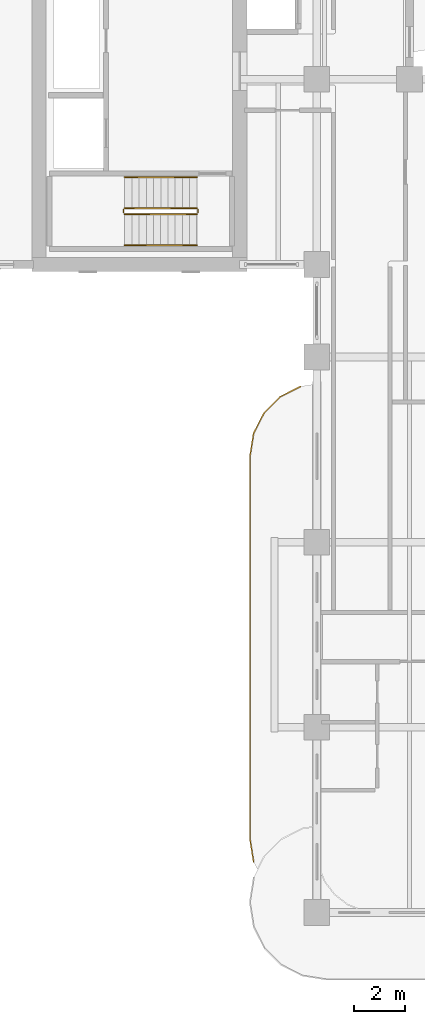
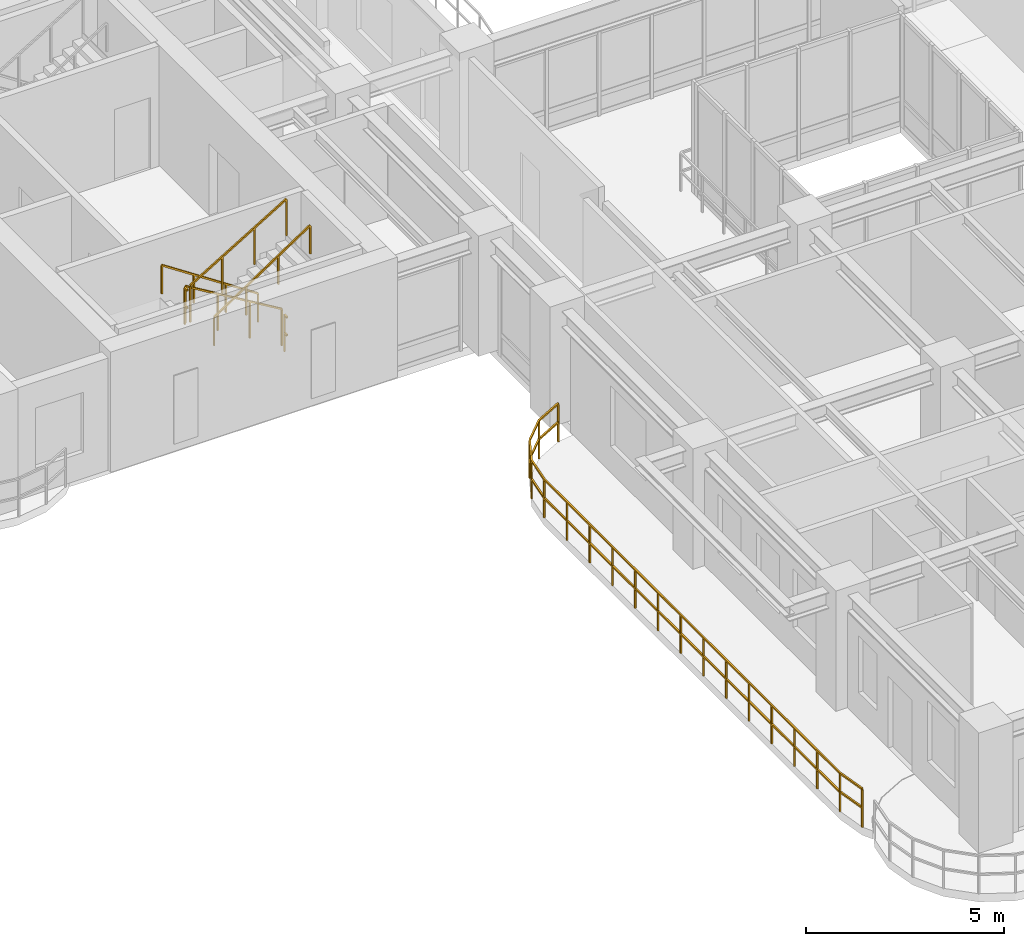
# One storey, part 17 of 20: 7 railings.
"""IFC4 building model written with IfcOpenShell, lengths in metres."""

from ifc_helpers import new_model, si_unit, derived_unit, direction, frame, origin, origin_2d, place, context, subcontext, project, spatial, rectangle, extrude, material, type_object, element, save


model = new_model("IFC4")

# Units and contexts
model_context = context("Model", 3, precision=1e-05, world=origin(), true_north=direction((0.0, 1.0)))
body_context = subcontext(model_context, "Body", "Model", "MODEL_VIEW")
ifc_project = project(units=[si_unit("LENGTHUNIT", "METRE"), si_unit("AREAUNIT", "SQUARE_METRE"), si_unit("VOLUMEUNIT", "CUBIC_METRE"), si_unit("PLANEANGLEUNIT", "RADIAN"), si_unit("MASSUNIT", "GRAM", prefix="KILO"), si_unit("THERMODYNAMICTEMPERATUREUNIT", "KELVIN"), si_unit("POWERUNIT", "WATT"), derived_unit("THERMALTRANSMITTANCEUNIT", [(si_unit("POWERUNIT", "WATT"), 1), (si_unit("AREAUNIT", "SQUARE_METRE"), -1), (si_unit("THERMODYNAMICTEMPERATUREUNIT", "KELVIN"), -1)])], contexts=[model_context])

# Site, building, storey
site_placement = place(None, origin())
site = spatial("IfcSite", under=ifc_project, at=site_placement, CompositionType="ELEMENT")
building_placement = place(site_placement, origin())
building = spatial("IfcBuilding", under=site, at=building_placement, Name="Zahravan Archway Hotel and Residences", CompositionType="ELEMENT")
storey_placement = place(building_placement, frame((0.0, 0.0, 115.5)))
storey = spatial("IfcBuildingStorey", under=building, at=storey_placement, Name="L28", CompositionType="ELEMENT", Elevation=115.5)

# Railings
ifc_material_1 = material(Name="Bronze & Laminated Glass Balustrade", Category="glass")
railing_type_1 = type_object("IfcRailingType", Name="RL-BAL-1200", PredefinedType="BALUSTRADE", material=ifc_material_1)
railing_1_placement = place(storey_placement, frame((11.939453125, 1.96923828125, 0.0)))
element("IfcRailing", 1, at=railing_1_placement, inside=storey, type_object=railing_type_1, Name="L28 Balustrade RL-SLB-BAL-L28-WA-1", PredefinedType="BALUSTRADE", context=body_context, shape_type="SweptSolid", body=[
    extrude(rectangle(XDim=0.048095703125, YDim=0.048095703125, at=origin_2d()), frame((0.0, 0.0, 1.17578125), z_axis=(-0.156314005608, 0.987707411965, 0.0), x_axis=(-0.987707411965, -0.156314005608, 0.0)), (0.0, 0.0, 1.0), 0.891845703125),
    extrude(rectangle(XDim=0.048095703125, YDim=0.048095703125, at=origin_2d()), frame((0.0, 0.0, 0.60009765625), z_axis=(-0.156314005608, 0.987707411965, 0.0), x_axis=(-0.987707411965, -0.156314005608, 0.0)), (0.0, 0.0, 1.0), 0.891845703125),
    extrude(rectangle(XDim=0.048095703125, YDim=0.048095703125, at=origin_2d()), frame((-0.139404296875, 0.880859375, 1.17578125), z_axis=(0.0, 1.0, 0.0), x_axis=(-1.0, 0.0, 0.0)), (0.0, 0.0, 1.0), 14.89990234375),
    extrude(rectangle(XDim=0.048095703125, YDim=0.048095703125, at=origin_2d()), frame((-0.139404296875, 0.880859375, 0.60009765625), z_axis=(0.0, 1.0, 0.0), x_axis=(-1.0, 0.0, 0.0)), (0.0, 0.0, 1.0), 14.89990234375),
    extrude(rectangle(XDim=0.048095703125, YDim=0.048095703125, at=origin_2d()), frame((-0.139404296875, 15.78076171875, 1.17578125), z_axis=(0.156356282588, 0.987700720307, 0.0), x_axis=(-0.987700720307, 0.156356282588, 0.0)), (0.0, 0.0, 1.0), 0.8916015625),
    extrude(rectangle(XDim=0.048095703125, YDim=0.048095703125, at=origin_2d()), frame((-0.139404296875, 15.78076171875, 0.60009765625), z_axis=(0.156356282588, 0.987700720307, 0.0), x_axis=(-0.987700720307, 0.156356282588, 0.0)), (0.0, 0.0, 1.0), 0.8916015625),
    extrude(rectangle(XDim=0.048095703125, YDim=0.048095703125, at=origin_2d()), frame((0.0, 16.661376953125, 1.17578125), z_axis=(0.45388067135, 0.891062476022, 0.0), x_axis=(-0.891062476022, 0.45388067135, 0.0)), (0.0, 0.0, 1.0), 0.891845703125),
    extrude(rectangle(XDim=0.048095703125, YDim=0.048095703125, at=origin_2d()), frame((0.0, 16.661376953125, 0.60009765625), z_axis=(0.45388067135, 0.891062476022, 0.0), x_axis=(-0.891062476022, 0.45388067135, 0.0)), (0.0, 0.0, 1.0), 0.891845703125),
    extrude(rectangle(XDim=0.048095703125, YDim=0.048095703125, at=origin_2d()), frame((0.40478515625, 17.4560546875, 1.17578125), z_axis=(0.70724367147, 0.706969864397, 0.0), x_axis=(-0.706969864397, 0.70724367147, 0.0)), (0.0, 0.0, 1.0), 0.8916015625),
    extrude(rectangle(XDim=0.048095703125, YDim=0.048095703125, at=origin_2d()), frame((0.40478515625, 17.4560546875, 0.60009765625), z_axis=(0.70724367147, 0.706969864397, 0.0), x_axis=(-0.706969864397, 0.70724367147, 0.0)), (0.0, 0.0, 1.0), 0.8916015625),
    extrude(rectangle(XDim=0.048095703125, YDim=0.048095703125, at=origin_2d()), frame((1.035400390625, 18.08642578125, 1.17578125), z_axis=(0.891006060389, 0.453991409995, 0.0), x_axis=(-0.453991409995, 0.891006060389, 0.0)), (0.0, 0.0, 1.0), 0.8916015625),
    extrude(rectangle(XDim=0.048095703125, YDim=0.048095703125, at=origin_2d()), frame((1.035400390625, 18.08642578125, 0.60009765625), z_axis=(0.891006060389, 0.453991409995, 0.0), x_axis=(-0.453991409995, 0.891006060389, 0.0)), (0.0, 0.0, 1.0), 0.8916015625),
    extrude(rectangle(XDim=0.0419921875, YDim=0.0419921875, at=origin_2d()), origin(), (0.0, 0.0, 1.0), 1.15185546875),
    extrude(rectangle(XDim=0.0419921875, YDim=0.0419921875, at=origin_2d()), frame((-0.139404296875, 0.880859375, 0.0)), (0.0, 0.0, 1.0), 1.15185546875),
    extrude(rectangle(XDim=0.0419921875, YDim=0.0419921875, at=origin_2d()), frame((-0.139404296875, 2.027099609375, 0.0)), (0.0, 0.0, 1.0), 1.15185546875),
    extrude(rectangle(XDim=0.0419921875, YDim=0.0419921875, at=origin_2d()), frame((-0.139404296875, 3.173095703125, 0.0)), (0.0, 0.0, 1.0), 1.15185546875),
    extrude(rectangle(XDim=0.0419921875, YDim=0.0419921875, at=origin_2d()), frame((-0.139404296875, 4.3193359375, 0.0)), (0.0, 0.0, 1.0), 1.15185546875),
    extrude(rectangle(XDim=0.0419921875, YDim=0.0419921875, at=origin_2d()), frame((-0.139404296875, 5.46533203125, 0.0)), (0.0, 0.0, 1.0), 1.15185546875),
    extrude(rectangle(XDim=0.0419921875, YDim=0.0419921875, at=origin_2d()), frame((-0.139404296875, 6.611572265625, 0.0)), (0.0, 0.0, 1.0), 1.15185546875),
    extrude(rectangle(XDim=0.0419921875, YDim=0.0419921875, at=origin_2d()), frame((-0.139404296875, 7.7578125, 0.0)), (0.0, 0.0, 1.0), 1.15185546875),
    extrude(rectangle(XDim=0.0419921875, YDim=0.0419921875, at=origin_2d()), frame((-0.139404296875, 8.90380859375, 0.0)), (0.0, 0.0, 1.0), 1.15185546875),
    extrude(rectangle(XDim=0.0419921875, YDim=0.0419921875, at=origin_2d()), frame((-0.139404296875, 10.050048828125, 0.0)), (0.0, 0.0, 1.0), 1.15185546875),
    extrude(rectangle(XDim=0.0419921875, YDim=0.0419921875, at=origin_2d()), frame((-0.139404296875, 11.1962890625, 0.0)), (0.0, 0.0, 1.0), 1.15185546875),
    extrude(rectangle(XDim=0.0419921875, YDim=0.0419921875, at=origin_2d()), frame((-0.139404296875, 12.34228515625, 0.0)), (0.0, 0.0, 1.0), 1.15185546875),
    extrude(rectangle(XDim=0.0419921875, YDim=0.0419921875, at=origin_2d()), frame((-0.139404296875, 13.488525390625, 0.0)), (0.0, 0.0, 1.0), 1.15185546875),
    extrude(rectangle(XDim=0.0419921875, YDim=0.0419921875, at=origin_2d()), frame((-0.139404296875, 14.634521484375, 0.0)), (0.0, 0.0, 1.0), 1.15185546875),
    extrude(rectangle(XDim=0.0419921875, YDim=0.0419921875, at=origin_2d()), frame((-0.139404296875, 15.78076171875, 0.0)), (0.0, 0.0, 1.0), 1.15185546875),
    extrude(rectangle(XDim=0.0419921875, YDim=0.0419921875, at=origin_2d()), frame((0.0, 16.661376953125, 0.0)), (0.0, 0.0, 1.0), 1.15185546875),
    extrude(rectangle(XDim=0.0419921875, YDim=0.0419921875, at=origin_2d()), frame((0.40478515625, 17.4560546875, 0.0)), (0.0, 0.0, 1.0), 1.15185546875),
    extrude(rectangle(XDim=0.0419921875, YDim=0.0419921875, at=origin_2d()), frame((1.035400390625, 18.08642578125, 0.0)), (0.0, 0.0, 1.0), 1.15185546875),
    extrude(rectangle(XDim=0.0419921875, YDim=0.0419921875, at=origin_2d()), frame((1.829833984375, 18.4912109375, 0.0)), (0.0, 0.0, 1.0), 1.15185546875),
])
ifc_material_2 = material(Name="Painted Tubular Steel", Category="steel")
railing_type_2 = type_object("IfcRailingType", Name="RL-STG-1150", PredefinedType="GUARDRAIL", material=ifc_material_2)
railing_2_placement = place(storey_placement, frame((9.72998046875, 27.389892578125, 0.168212890625)))
element("IfcRailing", 2, at=railing_2_placement, inside=storey, type_object=railing_type_2, Name="L28 ST-B1 stair guard 1", PredefinedType="GUARDRAIL", context=body_context, shape_type="SweptSolid", body=[
    extrude(rectangle(XDim=0.048095703125, YDim=0.048095703125, at=origin_2d()), frame((0.0, 0.0, 1.1259765625), z_axis=(-0.857242210791, 0.0, 0.514913383045), x_axis=(0.0, -1.0, 0.0)), (0.0, 0.0, 1.0), 3.266357421875),
    extrude(rectangle(XDim=0.0419921875, YDim=0.0419921875, at=origin_2d()), origin(), (0.0, 0.0, 1.0), 1.101806640625),
    extrude(rectangle(XDim=0.0419921875, YDim=0.0419921875, at=origin_2d()), frame((-0.933349609375, 0.0, 0.560546875)), (0.0, 0.0, 1.0), 1.101806640625),
    extrude(rectangle(XDim=0.0419921875, YDim=0.0419921875, at=origin_2d()), frame((-1.86669921875, 0.0, 1.121337890625)), (0.0, 0.0, 1.0), 1.101806640625),
    extrude(rectangle(XDim=0.0419921875, YDim=0.0419921875, at=origin_2d()), frame((-2.800048828125, 0.0, 1.681884765625)), (0.0, 0.0, 1.0), 1.101806640625),
])
railing_3_placement = place(storey_placement, frame((6.8798828125, 27.340087890625, 1.85009765625)))
element("IfcRailing", 3, at=railing_3_placement, inside=storey, type_object=railing_type_2, Name="L28 ST-B1 stair guard 2", PredefinedType="GUARDRAIL", context=body_context, shape_type="SweptSolid", body=[
    extrude(rectangle(XDim=0.048095703125, YDim=0.048095703125, at=origin_2d()), frame((0.0, 0.0, 1.1259765625), z_axis=(0.0, -1.0, 0.0), x_axis=(1.0, 0.0, 0.0)), (0.0, 0.0, 1.0), 0.14013671875),
    extrude(rectangle(XDim=0.048095703125, YDim=0.048095703125, at=origin_2d()), frame((0.0, 0.0, 0.574951171875), z_axis=(0.0, -1.0, 0.0), x_axis=(1.0, 0.0, 0.0)), (0.0, 0.0, 1.0), 0.14013671875),
    extrude(rectangle(XDim=0.0419921875, YDim=0.0419921875, at=origin_2d()), origin(), (0.0, 0.0, 1.0), 1.101806640625),
])
railing_4_placement = place(storey_placement, frame((6.929931640625, 27.14990234375, 2.01806640625)))
element("IfcRailing", 4, at=railing_4_placement, inside=storey, type_object=railing_type_2, Name="L28 ST-B1 stair guard 3", PredefinedType="GUARDRAIL", context=body_context, shape_type="SweptSolid", body=[
    extrude(rectangle(XDim=0.048095703125, YDim=0.048095703125, at=origin_2d()), frame((0.0, 0.0, 1.1259765625), z_axis=(0.857242210791, 0.0, 0.514913383045), x_axis=(0.0, 1.0, 0.0)), (0.0, 0.0, 1.0), 3.266357421875),
    extrude(rectangle(XDim=0.0419921875, YDim=0.0419921875, at=origin_2d()), origin(), (0.0, 0.0, 1.0), 1.101806640625),
    extrude(rectangle(XDim=0.0419921875, YDim=0.0419921875, at=origin_2d()), frame((0.933349609375, 0.0, 0.560546875)), (0.0, 0.0, 1.0), 1.101806640625),
    extrude(rectangle(XDim=0.0419921875, YDim=0.0419921875, at=origin_2d()), frame((1.86669921875, 0.0, 1.121337890625)), (0.0, 0.0, 1.0), 1.101806640625),
    extrude(rectangle(XDim=0.0419921875, YDim=0.0419921875, at=origin_2d()), frame((2.800048828125, 0.0, 1.681884765625)), (0.0, 0.0, 1.0), 1.101806640625),
])
railing_5_placement = place(storey_placement, frame((9.780029296875, 27.340087890625, 0.0)))
element("IfcRailing", 5, at=railing_5_placement, inside=storey, type_object=railing_type_2, Name="L28 ST-B1 stair guard 4", PredefinedType="GUARDRAIL", context=body_context, shape_type="SweptSolid", body=[
    extrude(rectangle(XDim=0.048095703125, YDim=0.048095703125, at=origin_2d()), frame((0.0, 0.0, 1.1259765625), z_axis=(0.0, -1.0, 0.0), x_axis=(1.0, 0.0, 0.0)), (0.0, 0.0, 1.0), 0.14013671875),
    extrude(rectangle(XDim=0.048095703125, YDim=0.048095703125, at=origin_2d()), frame((0.0, 0.0, 0.574951171875), z_axis=(0.0, -1.0, 0.0), x_axis=(1.0, 0.0, 0.0)), (0.0, 0.0, 1.0), 0.14013671875),
    extrude(rectangle(XDim=0.0419921875, YDim=0.0419921875, at=origin_2d()), origin(), (0.0, 0.0, 1.0), 1.101806640625),
])
ifc_material_3 = material(Name="Brushed Stainless Steel", Category="steel")
railing_type_3 = type_object("IfcRailingType", Name="RL-STH-900", PredefinedType="HANDRAIL", material=ifc_material_3)
railing_6_placement = place(storey_placement, frame((9.72998046875, 28.590087890625, 0.168212890625)))
element("IfcRailing", 6, at=railing_6_placement, inside=storey, type_object=railing_type_3, Name="L28 ST-B1 stair handrail 1", PredefinedType="HANDRAIL", context=body_context, shape_type="SweptSolid", body=[
    extrude(rectangle(XDim=0.048095703125, YDim=0.048095703125, at=origin_2d()), frame((0.0, 0.0, 0.8759765625), z_axis=(-0.83435981716, 0.0, 0.551220187865), x_axis=(0.0, -1.0, 0.0)), (0.0, 0.0, 1.0), 3.35595703125),
    extrude(rectangle(XDim=0.0419921875, YDim=0.0419921875, at=origin_2d()), origin(), (0.0, 0.0, 1.0), 0.851806640625),
    extrude(rectangle(XDim=0.0419921875, YDim=0.0419921875, at=origin_2d()), frame((-0.933349609375, 0.0, 0.61669921875)), (0.0, 0.0, 1.0), 0.851806640625),
    extrude(rectangle(XDim=0.0419921875, YDim=0.0419921875, at=origin_2d()), frame((-1.86669921875, 0.0, 1.233154296875)), (0.0, 0.0, 1.0), 0.851806640625),
    extrude(rectangle(XDim=0.0419921875, YDim=0.0419921875, at=origin_2d()), frame((-2.800048828125, 0.0, 1.849853515625)), (0.0, 0.0, 1.0), 0.851806640625),
])
railing_7_placement = place(storey_placement, frame((6.929931640625, 25.949951171875, 2.01806640625)))
element("IfcRailing", 7, at=railing_7_placement, inside=storey, type_object=railing_type_3, Name="L28 ST-B1 stair handrail 2", PredefinedType="HANDRAIL", context=body_context, shape_type="SweptSolid", body=[
    extrude(rectangle(XDim=0.048095703125, YDim=0.048095703125, at=origin_2d()), frame((0.0, 0.0, 0.8759765625), z_axis=(0.834326358476, 0.0, 0.551270829586), x_axis=(0.0, 1.0, 0.0)), (0.0, 0.0, 1.0), 3.35595703125),
    extrude(rectangle(XDim=0.0419921875, YDim=0.0419921875, at=origin_2d()), origin(), (0.0, 0.0, 1.0), 0.851806640625),
    extrude(rectangle(XDim=0.0419921875, YDim=0.0419921875, at=origin_2d()), frame((0.933349609375, 0.0, 0.61669921875)), (0.0, 0.0, 1.0), 0.851806640625),
    extrude(rectangle(XDim=0.0419921875, YDim=0.0419921875, at=origin_2d()), frame((1.86669921875, 0.0, 1.2333984375)), (0.0, 0.0, 1.0), 0.851806640625),
    extrude(rectangle(XDim=0.0419921875, YDim=0.0419921875, at=origin_2d()), frame((2.800048828125, 0.0, 1.85009765625)), (0.0, 0.0, 1.0), 0.851806640625),
])

save(model, "model.ifc")
